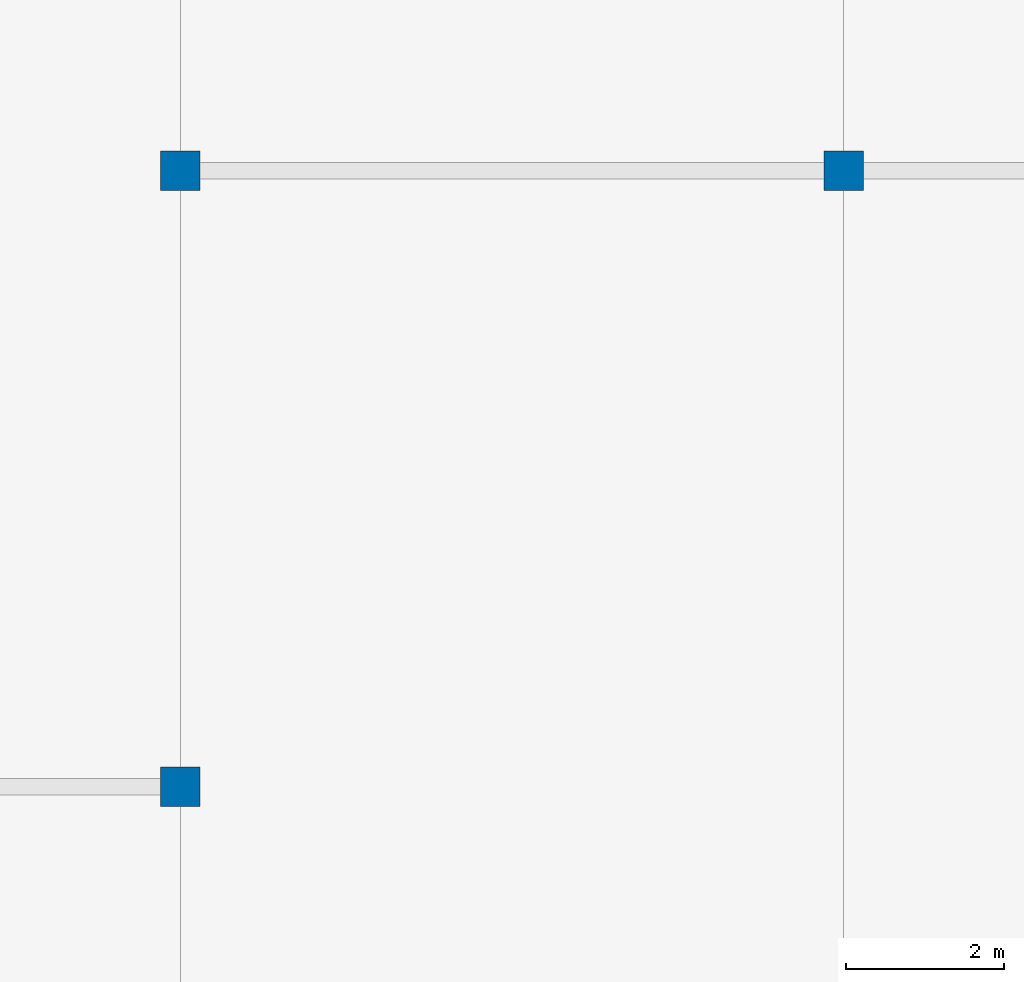
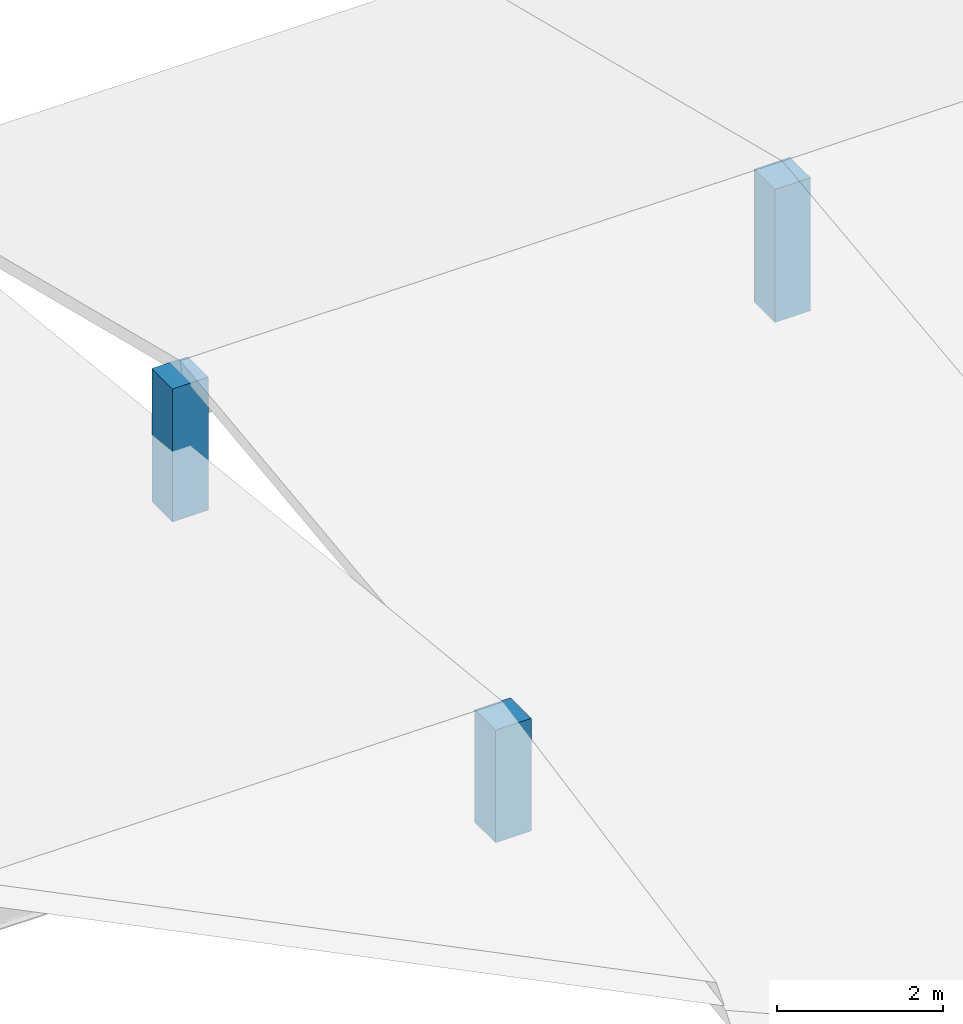
# One storey, part 4 of 27: 3 columns.
"""IFC4 building model written with IfcOpenShell, lengths in metres."""

from ifc_helpers import new_model, si_unit, direction, frame, origin, origin_2d, place, context, subcontext, project, spatial, rectangle, extrude, material, material_profile, profile_set, type_object, element, save


model = new_model("IFC4")

# Units and contexts
model_context = context("Model", 3, precision=1e-05, world=origin(), true_north=direction((0.0, 1.0)))
body_context = subcontext(model_context, "Body", "Model", "MODEL_VIEW")
ifc_project = project(units=[si_unit("LENGTHUNIT", "METRE"), si_unit("AREAUNIT", "SQUARE_METRE"), si_unit("VOLUMEUNIT", "CUBIC_METRE"), si_unit("PLANEANGLEUNIT", "RADIAN"), si_unit("MASSUNIT", "GRAM", prefix="KILO")], contexts=[model_context])

# Site, building, storey
site_placement = place(None, origin())
site = spatial("IfcSite", under=ifc_project, at=site_placement, CompositionType="ELEMENT")
building_placement = place(site_placement, origin())
building = spatial("IfcBuilding", under=site, at=building_placement, Name="Tazoul Stagehouse", CompositionType="ELEMENT")
storey_placement = place(building_placement, frame((0.0, 0.0, 24.89990234375)))
storey = spatial("IfcBuildingStorey", under=building, at=storey_placement, Name="RF", CompositionType="ELEMENT", Elevation=24.89990234375)

# Columns
ifc_material = material(Name="Concrete C40/50", Category="concrete")
ifc_material_profile = material_profile(ifc_material, rectangle(XDim=0.5, YDim=0.5, at=origin_2d()), Name="RC 500x500")
ifc_profile_set = profile_set([ifc_material_profile], Name="Concrete C40/50")
column_type = type_object("IfcColumnType", Name="RC Column 500x500", PredefinedType="COLUMN", material=ifc_profile_set)
column_placement = place(storey_placement, frame((125.39990234375, 96.199951171875, -7.989990234375), z_axis=(0.0, 0.0, 1.0), x_axis=(1.0, 0.0, 0.0)))
element("IfcColumn", 1, at=column_placement, inside=storey, type_object=column_type, Name="RF Rehearsal Vault Ridge Column C-02 (VA-19)", PredefinedType="COLUMN", context=body_context, shape_type="SweptSolid", body=[
    extrude(rectangle(XDim=0.5, YDim=0.5, at=origin_2d()), origin(), (0.0, 0.0, 1.0), 1.66015625),
])
for number, where, z_axis, x_axis, name in (
    (2, (125.39990234375, 104.0, -7.989990234375), (0.0, 0.0, 1.0), (1.0, 0.0, 0.0), "RF Rehearsal Vault Ridge Column C-02 (VB-19)"),
    (3, (133.800048828125, 104.0, -7.989990234375), (0.0, 0.0, 1.0), (1.0, 0.0, 0.0), "RF Rehearsal Vault Ridge Column C-02 (VB-20)"),
):
    element("IfcColumn", number, at=place(storey_placement, frame(where, z_axis=z_axis, x_axis=x_axis)), inside=storey, type_object=column_type, Name=name, PredefinedType="COLUMN", context=body_context, shape_type="SweptSolid", body=[
        extrude(rectangle(XDim=0.5, YDim=0.5, at=origin_2d()), origin(), (0.0, 0.0, 1.0), 1.960205078125),
    ])

save(model, "model.ifc")
